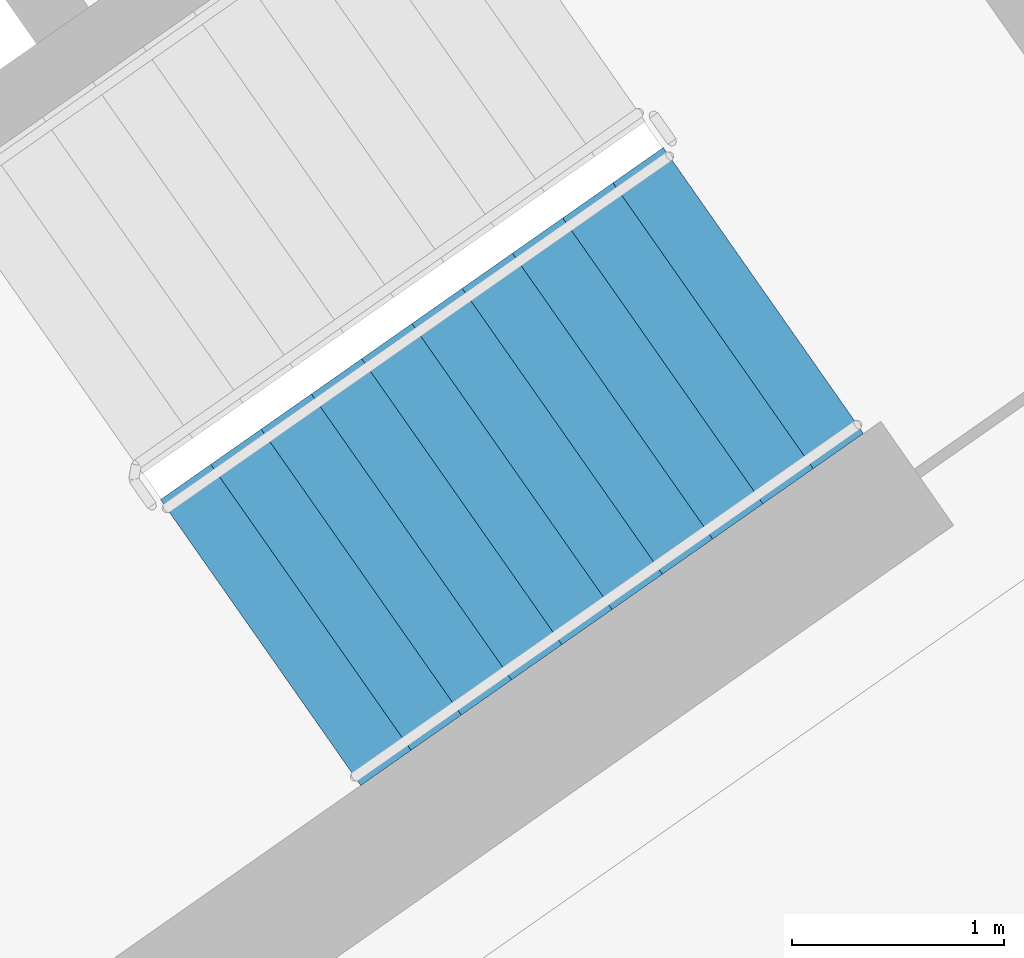
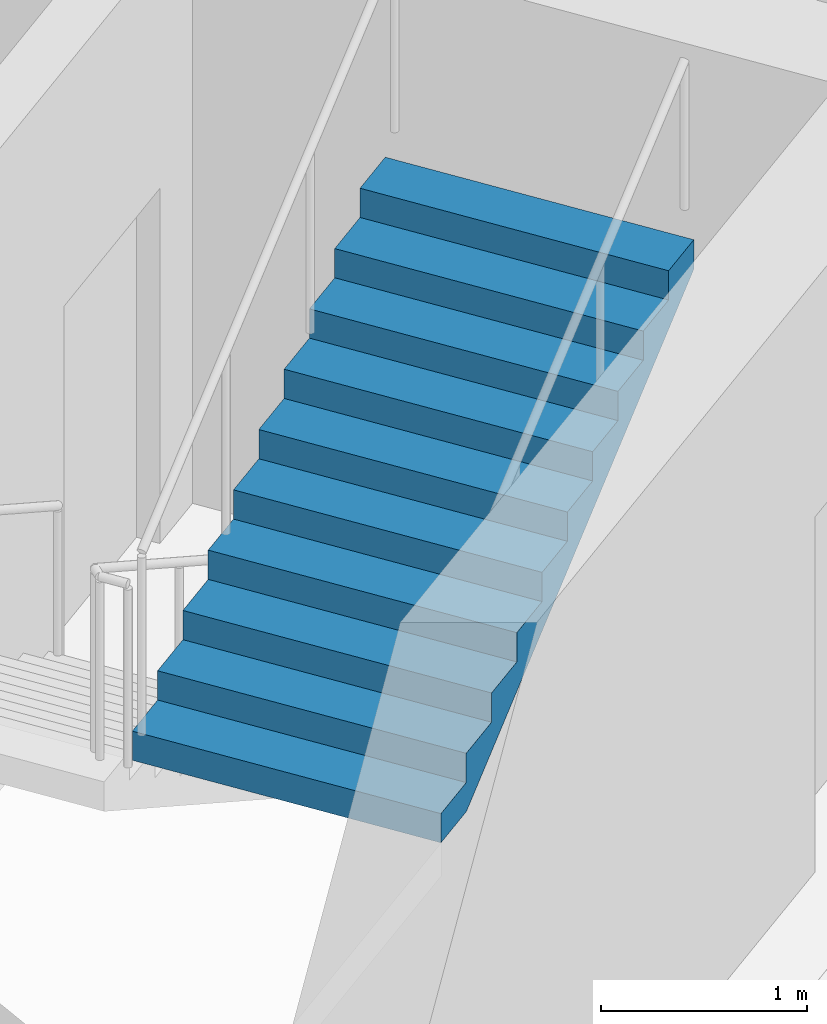
# One storey, part 14 of 28: 1 stair flight, 1 element without a shape of its own.
"""IFC4 building model written with IfcOpenShell, lengths in metres."""

import ifcopenshell
import ifcopenshell.guid

model = None  # the IFC model being written
_history = None  # IfcOwnerHistory: only IFC2X3 demands one
_inside = {}  # id of a spatial element -> (the spatial element, [elements in it])
_under = {}  # id of a project, library or spatial element -> (it, [spatial elements below it])
_declared = {}  # id of a project -> (the project, [libraries it declares])
_typed = {}  # id of a type object -> (the type object, [elements of that type])
_made_of = {}  # id of a material, layer set ... -> (it, [elements and type objects made of it])


def new_model(schema):
    """Start an empty IFC model of exactly this schema.

    Asked for "IFC4X3", IfcOpenShell would pick the latest addendum, in which some entities
    have other attributes; the version numbers below select the first issue.
    IFC2X3 requires an IfcOwnerHistory on every rooted entity: one is made here for all.
    """
    global model, _history
    if schema == "IFC4X3":
        model = ifcopenshell.file(schema_version=(4, 3, 0, 0))
    else:
        model = ifcopenshell.file(schema=schema)
    _inside.clear()
    _under.clear()
    _declared.clear()
    _typed.clear()
    _made_of.clear()
    _history = None
    if model.schema == "IFC2X3":
        org = make("IfcOrganization", Name="unknown")
        user = make(
            "IfcPersonAndOrganization",
            ThePerson=make("IfcPerson", FamilyName="unknown"),
            TheOrganization=org,
        )
        app = make(
            "IfcApplication",
            ApplicationDeveloper=org,
            Version="unknown",
            ApplicationFullName="unknown",
            ApplicationIdentifier="unknown",
        )
        _history = make(
            "IfcOwnerHistory",
            OwningUser=user,
            OwningApplication=app,
            ChangeAction="ADDED",
            CreationDate=0,
        )
    return model


def make(cls, **values):
    """One entity of the class cls with the attributes given. An attribute that is None is left unset."""
    return model.create_entity(
        cls, **{name: value for name, value in values.items() if value is not None}
    )


def rooted(cls, **values):
    """An entity with a GlobalId (a new one), such as an element, a storey or a relation."""
    return make(cls, GlobalId=ifcopenshell.guid.new(), OwnerHistory=_history, **values)


def si_unit(unit_type, name, prefix=None):
    """IfcSIUnit, for example si_unit("LENGTHUNIT", "METRE", prefix="MILLI")."""
    return make("IfcSIUnit", UnitType=unit_type, Prefix=prefix, Name=name)


def assignment(units):
    """IfcUnitAssignment: the units of a project."""
    return None if units is None else make("IfcUnitAssignment", Units=units)


def point(xyz):
    """IfcCartesianPoint."""
    return None if xyz is None else make("IfcCartesianPoint", Coordinates=xyz)


def direction(xyz):
    """IfcDirection."""
    return None if xyz is None else make("IfcDirection", DirectionRatios=xyz)


def frame(location, z_axis=None, x_axis=None):
    """IfcAxis2Placement3D, a coordinate frame: its origin and axes. An axis left out is left unset."""
    return make(
        "IfcAxis2Placement3D",
        Location=point(location),
        Axis=direction(z_axis),
        RefDirection=direction(x_axis),
    )


def origin():
    """The frame at (0, 0, 0) with its axes left unset."""
    return frame((0.0, 0.0, 0.0))


def place(relative_to, where):
    """IfcLocalPlacement: puts the frame where relative to a parent placement (None: the world)."""
    return make(
        "IfcLocalPlacement", PlacementRelTo=relative_to, RelativePlacement=where
    )


def context(
    kind, dimensions, precision=None, world=None, true_north=None, identifier=None
):
    """IfcGeometricRepresentationContext, for example the 3D "Model" context."""
    return make(
        "IfcGeometricRepresentationContext",
        ContextIdentifier=identifier,
        ContextType=kind,
        CoordinateSpaceDimension=dimensions,
        Precision=precision,
        WorldCoordinateSystem=world,
        TrueNorth=true_north,
    )


def subcontext(parent, identifier, kind, view, scale=None):
    """IfcGeometricRepresentationSubContext, for example "Body" below "Model"."""
    return make(
        "IfcGeometricRepresentationSubContext",
        ContextIdentifier=identifier,
        ContextType=kind,
        ParentContext=parent,
        TargetScale=scale,
        TargetView=view,
    )


def project(units=None, contexts=None):
    """IfcProject with its units and contexts."""
    return rooted(
        "IfcProject",
        Name="project",
        RepresentationContexts=contexts,
        UnitsInContext=assignment(units),
    )


def spatial(cls, under=None, at=None, **own):
    """A site, building, storey or space (cls), placed at a placement, below another one or the project."""
    s = rooted(cls, ObjectPlacement=at, **own)
    if under is not None:
        _under.setdefault(under.id(), (under, []))[1].append(s)
    return s


def faces_of(points, faces, orient=None, outer=None):
    """IfcFace entities. A face is a list of loops; a loop is a list of indices into points, from 0.

    orient and outer hold one flag for each loop. By default every Orientation is true, the
    first loop of a face is its IfcFaceOuterBound and the others are IfcFaceBound.
    """
    made = []
    for i, loops in enumerate(faces):
        bounds = []
        for j, loop in enumerate(loops):
            is_outer = j == 0 if outer is None else outer[i][j]
            bounds.append(
                make(
                    "IfcFaceOuterBound" if is_outer else "IfcFaceBound",
                    Bound=make("IfcPolyLoop", Polygon=[points[k] for k in loop]),
                    Orientation=True if orient is None else orient[i][j],
                )
            )
        made.append(make("IfcFace", Bounds=bounds))
    return made


def faceted_brep(points, faces, orient=None, outer=None, voids=None):
    """IfcFacetedBrep: a solid bounded by flat faces; with voids (closed shells), ...WithVoids."""
    shared = [point(p) for p in points]
    hull = make("IfcClosedShell", CfsFaces=faces_of(shared, faces, orient, outer))
    if voids is None:
        return make("IfcFacetedBrep", Outer=hull)
    return make(
        "IfcFacetedBrepWithVoids",
        Outer=hull,
        Voids=[
            make(cls, CfsFaces=faces_of(shared, fs, o, b)) for cls, fs, o, b in voids
        ],
    )


def shape(context_of_items, identifier, shape_type, items):
    """IfcShapeRepresentation: the items that make up one representation, for example the "Body"."""
    return make(
        "IfcShapeRepresentation",
        ContextOfItems=context_of_items,
        RepresentationIdentifier=identifier,
        RepresentationType=shape_type,
        Items=items,
    )


def material(Name=None, Category=None):
    """IfcMaterial."""
    return make("IfcMaterial", Name=Name, Category=Category)


def made_of(thing, what):
    """Note that an element or type object is made of a material, layer set ...; save() writes the relation."""
    if what is not None:
        _made_of.setdefault(what.id(), (what, []))[1].append(thing)
    return thing


def type_object(cls, material=None, **own):
    """A type object (cls), such as IfcWallType, which elements share."""
    return made_of(rooted(cls, **own), material)


def element(
    cls,
    number,
    at=None,
    inside=None,
    cuts=None,
    type_object=None,
    material=None,
    context=None,
    identifier="Body",
    shape_type=None,
    held_by="IfcProductDefinitionShape",
    body=None,
    shapes=None,
    **own,
):
    """One element of the class cls, such as IfcWall. Its Tag is "e" and its number.

    at: its placement. inside: the storey or other place that contains it. cuts: it is an
    opening in that element (IfcRelVoidsElement). A single representation is given by context,
    identifier, shape_type and body (its items); several are given by shapes. held_by: the class
    of the entity that holds the representations. save() writes the other relations.
    """
    e = rooted(cls, Tag="e%d" % number, ObjectPlacement=at, **own)
    if body is not None:
        shapes = [shape(context, identifier, shape_type, body)]
    if shapes is not None:
        e.Representation = make(held_by, Representations=shapes)
    if inside is not None:
        _inside.setdefault(inside.id(), (inside, []))[1].append(e)
    if cuts is not None:
        rooted(
            "IfcRelVoidsElement", RelatingBuildingElement=cuts, RelatedOpeningElement=e
        )
    if type_object is not None:
        _typed.setdefault(type_object.id(), (type_object, []))[1].append(e)
    return made_of(e, material)


def aggregate(whole, parts):
    """IfcRelAggregates: a whole, such as a stair, and the parts it consists of."""
    return rooted("IfcRelAggregates", RelatingObject=whole, RelatedObjects=parts)


def save(model, path):
    """Write the relations noted so far, then the file.

    IfcRelAggregates (storeys below a building ...), IfcRelContainedInSpatialStructure (elements
    in a storey), IfcRelDefinesByType, IfcRelAssociatesMaterial and IfcRelDeclares: one each for
    every whole, place, type object, material and project.
    """
    for whole, parts in _under.values():
        aggregate(whole, parts)
    for where, things in _inside.values():
        rooted(
            "IfcRelContainedInSpatialStructure",
            RelatedElements=things,
            RelatingStructure=where,
        )
    for kind, things in _typed.values():
        rooted("IfcRelDefinesByType", RelatedObjects=things, RelatingType=kind)
    for what, things in _made_of.values():
        rooted("IfcRelAssociatesMaterial", RelatedObjects=things, RelatingMaterial=what)
    for by, libraries in _declared.values():
        rooted("IfcRelDeclares", RelatingContext=by, RelatedDefinitions=libraries)
    model.write(path)


model = new_model("IFC4")

# Units and contexts
model_context = context("Model", 3, precision=1e-05, world=origin(), true_north=direction((0.0, 1.0)))
body_context = subcontext(model_context, "Body", "Model", "MODEL_VIEW")
ifc_project = project(units=[si_unit("LENGTHUNIT", "METRE"), si_unit("AREAUNIT", "SQUARE_METRE"), si_unit("VOLUMEUNIT", "CUBIC_METRE"), si_unit("PLANEANGLEUNIT", "RADIAN"), si_unit("MASSUNIT", "GRAM", prefix="KILO")], contexts=[model_context])

# Site, building, storey
site_placement = place(None, origin())
site = spatial("IfcSite", under=ifc_project, at=site_placement, CompositionType="ELEMENT")
building_placement = place(site_placement, origin())
building = spatial("IfcBuilding", under=site, at=building_placement, Name="Qamariyya Broadcast Tower", CompositionType="ELEMENT")
storey_placement = place(building_placement, frame((0.0, 0.0, 215.10009765625)))
storey = spatial("IfcBuildingStorey", under=building, at=storey_placement, Name="L51", CompositionType="ELEMENT", Elevation=215.10009765625)

# Stair, stair flight
ifc_material = material(Name="Concrete C50/60", Category="concrete")
stair_type = type_object("IfcStairType", Name="Exit stair 22 risers of 173 mm", PredefinedType="HALF_TURN_STAIR", material=ifc_material)
stair_placement = place(storey_placement, origin())
stair = element("IfcStair", 1, at=stair_placement, inside=storey, type_object=stair_type, Name="L51 Stair E1", PredefinedType="HALF_TURN_STAIR")
stair_flight_type = type_object("IfcStairFlightType", Name="Exit stair flight 11 risers of 173 mm", PredefinedType="STRAIGHT", material=ifc_material)
stair_flight_placement = place(storey_placement, frame((44.693359375, -58.64599609375, 1.89990234375), z_axis=(0.0, 0.0, 1.0), x_axis=(0.819152044289, 0.573576436351, 0.0)))
stair_flight = element("IfcStairFlight", 2, at=stair_flight_placement, type_object=stair_flight_type, Name="ST-E1 flight 2", NumberOfRisers=11, NumberOfTreads=10, PredefinedType="STRAIGHT", RiserHeight=0.172727273, TreadLength=0.29, context=body_context, shape_type="Brep", body=[
    faceted_brep([(0.0, 0.824951171875, 0.0), (0.0, 0.824951171875, 0.172607421875), (0.2900390625, 0.824951171875, 0.172607421875), (0.2900390625, 0.824951171875, 0.345458984375), (0.580078125, 0.824951171875, 0.345458984375), (0.580078125, 0.824951171875, 0.51806640625), (0.8701171875, 0.824951171875, 0.51806640625), (0.8701171875, 0.824951171875, 0.69091796875), (1.159912109375, 0.824951171875, 0.69091796875), (1.159912109375, 0.824951171875, 0.863525390625), (1.449951171875, 0.824951171875, 0.863525390625), (1.449951171875, 0.824951171875, 1.036376953125), (1.739990234375, 0.824951171875, 1.036376953125), (1.739990234375, 0.824951171875, 1.208984375), (2.030029296875, 0.824951171875, 1.208984375), (2.030029296875, 0.824951171875, 1.3818359375), (2.320068359375, 0.824951171875, 1.3818359375), (2.320068359375, 0.824951171875, 1.554443359375), (2.610107421875, 0.824951171875, 1.554443359375), (2.610107421875, 0.824951171875, 1.727294921875), (2.89990234375, 0.824951171875, 1.727294921875), (2.89990234375, 0.824951171875, 1.552734375), (0.29296875, 0.824951171875, 0.0), (0.29296875, -0.824951171875, 0.0), (2.89990234375, -0.824951171875, 1.552734375), (2.89990234375, -0.824951171875, 1.727294921875), (2.610107421875, -0.824951171875, 1.727294921875), (2.610107421875, -0.824951171875, 1.554443359375), (2.320068359375, -0.824951171875, 1.554443359375), (2.320068359375, -0.824951171875, 1.3818359375), (2.030029296875, -0.824951171875, 1.3818359375), (2.030029296875, -0.824951171875, 1.208984375), (1.739990234375, -0.824951171875, 1.208984375), (1.739990234375, -0.824951171875, 1.036376953125), (1.449951171875, -0.824951171875, 1.036376953125), (1.449951171875, -0.824951171875, 0.863525390625), (1.159912109375, -0.824951171875, 0.863525390625), (1.159912109375, -0.824951171875, 0.69091796875), (0.8701171875, -0.824951171875, 0.69091796875), (0.8701171875, -0.824951171875, 0.51806640625), (0.580078125, -0.824951171875, 0.51806640625), (0.580078125, -0.824951171875, 0.345458984375), (0.2900390625, -0.824951171875, 0.345458984375), (0.2900390625, -0.824951171875, 0.172607421875), (0.0, -0.824951171875, 0.172607421875), (0.0, -0.824951171875, 0.0), (0.0, 0.10009765625, 0.0), (0.0, 0.086669921875, 0.0), (0.0, 0.0732421875, 0.0), (0.0, 0.06005859375, 0.0), (0.0, 0.046630859375, 0.0), (0.0, 0.033447265625, 0.0), (0.0, 0.02001953125, 0.0), (0.0, 0.006591796875, 0.0), (0.0, -0.006591796875, 0.0), (0.0, -0.02001953125, 0.0), (0.0, -0.033447265625, 0.0), (0.0, -0.046630859375, 0.0), (0.0, -0.06005859375, 0.0), (0.0, -0.0732421875, 0.0), (0.0, -0.086669921875, 0.0), (0.0, -0.10009765625, 0.0), (0.0, -0.10009765625, 0.172607421875), (0.0, -0.086669921875, 0.172607421875), (0.0, -0.0732421875, 0.172607421875), (0.0, -0.06005859375, 0.172607421875), (0.0, -0.046630859375, 0.172607421875), (0.0, -0.033447265625, 0.172607421875), (0.0, -0.02001953125, 0.172607421875), (0.0, -0.006591796875, 0.172607421875), (0.0, 0.006591796875, 0.172607421875), (0.0, 0.02001953125, 0.172607421875), (0.0, 0.033447265625, 0.172607421875), (0.0, 0.046630859375, 0.172607421875), (0.0, 0.06005859375, 0.172607421875), (0.0, 0.0732421875, 0.172607421875), (0.0, 0.086669921875, 0.172607421875), (0.0, 0.10009765625, 0.172607421875), (0.2900390625, -0.10009765625, 0.172607421875), (0.2900390625, -0.086669921875, 0.172607421875), (0.2900390625, -0.0732421875, 0.172607421875), (0.2900390625, -0.06005859375, 0.172607421875), (0.2900390625, -0.046630859375, 0.172607421875), (0.2900390625, -0.033447265625, 0.172607421875), (0.2900390625, -0.02001953125, 0.172607421875), (0.2900390625, -0.006591796875, 0.172607421875), (0.2900390625, 0.006591796875, 0.172607421875), (0.2900390625, 0.02001953125, 0.172607421875), (0.2900390625, 0.033447265625, 0.172607421875), (0.2900390625, 0.046630859375, 0.172607421875), (0.2900390625, 0.06005859375, 0.172607421875), (0.2900390625, 0.0732421875, 0.172607421875), (0.2900390625, 0.086669921875, 0.172607421875), (0.2900390625, 0.10009765625, 0.172607421875), (0.2900390625, -0.10009765625, 0.345458984375), (0.2900390625, -0.086669921875, 0.345458984375), (0.2900390625, -0.0732421875, 0.345458984375), (0.2900390625, -0.06005859375, 0.345458984375), (0.2900390625, -0.046630859375, 0.345458984375), (0.2900390625, -0.033447265625, 0.345458984375), (0.2900390625, -0.02001953125, 0.345458984375), (0.2900390625, -0.006591796875, 0.345458984375), (0.2900390625, 0.006591796875, 0.345458984375), (0.2900390625, 0.02001953125, 0.345458984375), (0.2900390625, 0.033447265625, 0.345458984375), (0.2900390625, 0.046630859375, 0.345458984375), (0.2900390625, 0.06005859375, 0.345458984375), (0.2900390625, 0.0732421875, 0.345458984375), (0.2900390625, 0.086669921875, 0.345458984375), (0.2900390625, 0.10009765625, 0.345458984375), (0.580078125, -0.10009765625, 0.345458984375), (0.580078125, -0.086669921875, 0.345458984375), (0.580078125, -0.0732421875, 0.345458984375), (0.580078125, -0.06005859375, 0.345458984375), (0.580078125, -0.046630859375, 0.345458984375), (0.580078125, -0.033447265625, 0.345458984375), (0.580078125, -0.02001953125, 0.345458984375), (0.580078125, -0.006591796875, 0.345458984375), (0.580078125, 0.006591796875, 0.345458984375), (0.580078125, 0.02001953125, 0.345458984375), (0.580078125, 0.033447265625, 0.345458984375), (0.580078125, 0.046630859375, 0.345458984375), (0.580078125, 0.06005859375, 0.345458984375), (0.580078125, 0.0732421875, 0.345458984375), (0.580078125, 0.086669921875, 0.345458984375), (0.580078125, 0.10009765625, 0.345458984375), (0.580078125, -0.10009765625, 0.51806640625), (0.580078125, -0.086669921875, 0.51806640625), (0.580078125, -0.0732421875, 0.51806640625), (0.580078125, -0.06005859375, 0.51806640625), (0.580078125, -0.046630859375, 0.51806640625), (0.580078125, -0.033447265625, 0.51806640625), (0.580078125, -0.02001953125, 0.51806640625), (0.580078125, -0.006591796875, 0.51806640625), (0.580078125, 0.006591796875, 0.51806640625), (0.580078125, 0.02001953125, 0.51806640625), (0.580078125, 0.033447265625, 0.51806640625), (0.580078125, 0.046630859375, 0.51806640625), (0.580078125, 0.06005859375, 0.51806640625), (0.580078125, 0.0732421875, 0.51806640625), (0.580078125, 0.086669921875, 0.51806640625), (0.580078125, 0.10009765625, 0.51806640625), (0.8701171875, -0.10009765625, 0.51806640625), (0.8701171875, -0.086669921875, 0.51806640625), (0.8701171875, -0.0732421875, 0.51806640625), (0.8701171875, -0.06005859375, 0.51806640625), (0.8701171875, -0.046630859375, 0.51806640625), (0.8701171875, -0.033447265625, 0.51806640625), (0.8701171875, -0.02001953125, 0.51806640625), (0.8701171875, -0.006591796875, 0.51806640625), (0.8701171875, 0.006591796875, 0.51806640625), (0.8701171875, 0.02001953125, 0.51806640625), (0.8701171875, 0.033447265625, 0.51806640625), (0.8701171875, 0.046630859375, 0.51806640625), (0.8701171875, 0.06005859375, 0.51806640625), (0.8701171875, 0.0732421875, 0.51806640625), (0.8701171875, 0.086669921875, 0.51806640625), (0.8701171875, 0.10009765625, 0.51806640625), (0.8701171875, -0.10009765625, 0.69091796875), (0.8701171875, -0.086669921875, 0.69091796875), (0.8701171875, -0.0732421875, 0.69091796875), (0.8701171875, -0.06005859375, 0.69091796875), (0.8701171875, -0.046630859375, 0.69091796875), (0.8701171875, -0.033447265625, 0.69091796875), (0.8701171875, -0.02001953125, 0.69091796875), (0.8701171875, -0.006591796875, 0.69091796875), (0.8701171875, 0.006591796875, 0.69091796875), (0.8701171875, 0.02001953125, 0.69091796875), (0.8701171875, 0.033447265625, 0.69091796875), (0.8701171875, 0.046630859375, 0.69091796875), (0.8701171875, 0.06005859375, 0.69091796875), (0.8701171875, 0.0732421875, 0.69091796875), (0.8701171875, 0.086669921875, 0.69091796875), (0.8701171875, 0.10009765625, 0.69091796875), (1.159912109375, -0.10009765625, 0.69091796875), (1.159912109375, -0.086669921875, 0.69091796875), (1.159912109375, -0.0732421875, 0.69091796875), (1.159912109375, -0.06005859375, 0.69091796875), (1.159912109375, -0.046630859375, 0.69091796875), (1.159912109375, -0.033447265625, 0.69091796875), (1.159912109375, -0.02001953125, 0.69091796875), (1.159912109375, -0.006591796875, 0.69091796875), (1.159912109375, 0.006591796875, 0.69091796875), (1.159912109375, 0.02001953125, 0.69091796875), (1.159912109375, 0.033447265625, 0.69091796875), (1.159912109375, 0.046630859375, 0.69091796875), (1.159912109375, 0.06005859375, 0.69091796875), (1.159912109375, 0.0732421875, 0.69091796875), (1.159912109375, 0.086669921875, 0.69091796875), (1.159912109375, 0.10009765625, 0.69091796875), (1.159912109375, -0.10009765625, 0.863525390625), (1.159912109375, -0.086669921875, 0.863525390625), (1.159912109375, -0.0732421875, 0.863525390625), (1.159912109375, -0.06005859375, 0.863525390625), (1.159912109375, -0.046630859375, 0.863525390625), (1.159912109375, -0.033447265625, 0.863525390625), (1.159912109375, -0.02001953125, 0.863525390625), (1.159912109375, -0.006591796875, 0.863525390625), (1.159912109375, 0.006591796875, 0.863525390625), (1.159912109375, 0.02001953125, 0.863525390625), (1.159912109375, 0.033447265625, 0.863525390625), (1.159912109375, 0.046630859375, 0.863525390625), (1.159912109375, 0.06005859375, 0.863525390625), (1.159912109375, 0.0732421875, 0.863525390625), (1.159912109375, 0.086669921875, 0.863525390625), (1.159912109375, 0.10009765625, 0.863525390625), (1.449951171875, -0.10009765625, 0.863525390625), (1.449951171875, -0.086669921875, 0.863525390625), (1.449951171875, -0.0732421875, 0.863525390625), (1.449951171875, -0.06005859375, 0.863525390625), (1.449951171875, -0.046630859375, 0.863525390625), (1.449951171875, -0.033447265625, 0.863525390625), (1.449951171875, -0.02001953125, 0.863525390625), (1.449951171875, -0.006591796875, 0.863525390625), (1.449951171875, 0.006591796875, 0.863525390625), (1.449951171875, 0.02001953125, 0.863525390625), (1.449951171875, 0.033447265625, 0.863525390625), (1.449951171875, 0.046630859375, 0.863525390625), (1.449951171875, 0.06005859375, 0.863525390625), (1.449951171875, 0.0732421875, 0.863525390625), (1.449951171875, 0.086669921875, 0.863525390625), (1.449951171875, 0.10009765625, 0.863525390625), (1.449951171875, -0.10009765625, 1.036376953125), (1.449951171875, -0.086669921875, 1.036376953125), (1.449951171875, -0.0732421875, 1.036376953125), (1.449951171875, -0.06005859375, 1.036376953125), (1.449951171875, -0.046630859375, 1.036376953125), (1.449951171875, -0.033447265625, 1.036376953125), (1.449951171875, -0.02001953125, 1.036376953125), (1.449951171875, -0.006591796875, 1.036376953125), (1.449951171875, 0.006591796875, 1.036376953125), (1.449951171875, 0.02001953125, 1.036376953125), (1.449951171875, 0.033447265625, 1.036376953125), (1.449951171875, 0.046630859375, 1.036376953125), (1.449951171875, 0.06005859375, 1.036376953125), (1.449951171875, 0.0732421875, 1.036376953125), (1.449951171875, 0.086669921875, 1.036376953125), (1.449951171875, 0.10009765625, 1.036376953125), (1.739990234375, -0.10009765625, 1.036376953125), (1.739990234375, -0.086669921875, 1.036376953125), (1.739990234375, -0.0732421875, 1.036376953125), (1.739990234375, -0.06005859375, 1.036376953125), (1.739990234375, -0.046630859375, 1.036376953125), (1.739990234375, -0.033447265625, 1.036376953125), (1.739990234375, -0.02001953125, 1.036376953125), (1.739990234375, -0.006591796875, 1.036376953125), (1.739990234375, 0.006591796875, 1.036376953125), (1.739990234375, 0.02001953125, 1.036376953125), (1.739990234375, 0.033447265625, 1.036376953125), (1.739990234375, 0.046630859375, 1.036376953125), (1.739990234375, 0.06005859375, 1.036376953125), (1.739990234375, 0.0732421875, 1.036376953125), (1.739990234375, 0.086669921875, 1.036376953125), (1.739990234375, 0.10009765625, 1.036376953125), (1.739990234375, -0.10009765625, 1.208984375), (1.739990234375, -0.086669921875, 1.208984375), (1.739990234375, -0.0732421875, 1.208984375), (1.739990234375, -0.06005859375, 1.208984375), (1.739990234375, -0.046630859375, 1.208984375), (1.739990234375, -0.033447265625, 1.208984375), (1.739990234375, -0.02001953125, 1.208984375), (1.739990234375, -0.006591796875, 1.208984375), (1.739990234375, 0.006591796875, 1.208984375), (1.739990234375, 0.02001953125, 1.208984375), (1.739990234375, 0.033447265625, 1.208984375), (1.739990234375, 0.046630859375, 1.208984375), (1.739990234375, 0.06005859375, 1.208984375), (1.739990234375, 0.0732421875, 1.208984375), (1.739990234375, 0.086669921875, 1.208984375), (1.739990234375, 0.10009765625, 1.208984375), (2.030029296875, -0.10009765625, 1.208984375), (2.030029296875, -0.086669921875, 1.208984375), (2.030029296875, -0.0732421875, 1.208984375), (2.030029296875, -0.06005859375, 1.208984375), (2.030029296875, -0.046630859375, 1.208984375), (2.030029296875, -0.033447265625, 1.208984375), (2.030029296875, -0.02001953125, 1.208984375), (2.030029296875, -0.006591796875, 1.208984375), (2.030029296875, 0.006591796875, 1.208984375), (2.030029296875, 0.02001953125, 1.208984375), (2.030029296875, 0.033447265625, 1.208984375), (2.030029296875, 0.046630859375, 1.208984375), (2.030029296875, 0.06005859375, 1.208984375), (2.030029296875, 0.0732421875, 1.208984375), (2.030029296875, 0.086669921875, 1.208984375), (2.030029296875, 0.10009765625, 1.208984375), (2.030029296875, -0.10009765625, 1.3818359375), (2.030029296875, -0.086669921875, 1.3818359375), (2.030029296875, -0.0732421875, 1.3818359375), (2.030029296875, -0.06005859375, 1.3818359375), (2.030029296875, -0.046630859375, 1.3818359375), (2.030029296875, -0.033447265625, 1.3818359375), (2.030029296875, -0.02001953125, 1.3818359375), (2.030029296875, -0.006591796875, 1.3818359375), (2.030029296875, 0.006591796875, 1.3818359375), (2.030029296875, 0.02001953125, 1.3818359375), (2.030029296875, 0.033447265625, 1.3818359375), (2.030029296875, 0.046630859375, 1.3818359375), (2.030029296875, 0.06005859375, 1.3818359375), (2.030029296875, 0.0732421875, 1.3818359375), (2.030029296875, 0.086669921875, 1.3818359375), (2.030029296875, 0.10009765625, 1.3818359375), (2.320068359375, -0.10009765625, 1.3818359375), (2.320068359375, -0.086669921875, 1.3818359375), (2.320068359375, -0.0732421875, 1.3818359375), (2.320068359375, -0.06005859375, 1.3818359375), (2.320068359375, -0.046630859375, 1.3818359375), (2.320068359375, -0.033447265625, 1.3818359375), (2.320068359375, -0.02001953125, 1.3818359375), (2.320068359375, -0.006591796875, 1.3818359375), (2.320068359375, 0.006591796875, 1.3818359375), (2.320068359375, 0.02001953125, 1.3818359375), (2.320068359375, 0.033447265625, 1.3818359375), (2.320068359375, 0.046630859375, 1.3818359375), (2.320068359375, 0.06005859375, 1.3818359375), (2.320068359375, 0.0732421875, 1.3818359375), (2.320068359375, 0.086669921875, 1.3818359375), (2.320068359375, 0.10009765625, 1.3818359375), (2.320068359375, -0.10009765625, 1.554443359375), (2.320068359375, -0.086669921875, 1.554443359375), (2.320068359375, -0.0732421875, 1.554443359375), (2.320068359375, -0.06005859375, 1.554443359375), (2.320068359375, -0.046630859375, 1.554443359375), (2.320068359375, -0.033447265625, 1.554443359375), (2.320068359375, -0.02001953125, 1.554443359375), (2.320068359375, -0.006591796875, 1.554443359375), (2.320068359375, 0.006591796875, 1.554443359375), (2.320068359375, 0.02001953125, 1.554443359375), (2.320068359375, 0.033447265625, 1.554443359375), (2.320068359375, 0.046630859375, 1.554443359375), (2.320068359375, 0.06005859375, 1.554443359375), (2.320068359375, 0.0732421875, 1.554443359375), (2.320068359375, 0.086669921875, 1.554443359375), (2.320068359375, 0.10009765625, 1.554443359375), (2.610107421875, -0.10009765625, 1.554443359375), (2.610107421875, -0.086669921875, 1.554443359375), (2.610107421875, -0.0732421875, 1.554443359375), (2.610107421875, -0.06005859375, 1.554443359375), (2.610107421875, -0.046630859375, 1.554443359375), (2.610107421875, -0.033447265625, 1.554443359375), (2.610107421875, -0.02001953125, 1.554443359375), (2.610107421875, -0.006591796875, 1.554443359375), (2.610107421875, 0.006591796875, 1.554443359375), (2.610107421875, 0.02001953125, 1.554443359375), (2.610107421875, 0.033447265625, 1.554443359375), (2.610107421875, 0.046630859375, 1.554443359375), (2.610107421875, 0.06005859375, 1.554443359375), (2.610107421875, 0.0732421875, 1.554443359375), (2.610107421875, 0.086669921875, 1.554443359375), (2.610107421875, 0.10009765625, 1.554443359375), (2.610107421875, -0.10009765625, 1.727294921875), (2.610107421875, -0.086669921875, 1.727294921875), (2.610107421875, -0.0732421875, 1.727294921875), (2.610107421875, -0.06005859375, 1.727294921875), (2.610107421875, -0.046630859375, 1.727294921875), (2.610107421875, -0.033447265625, 1.727294921875), (2.610107421875, -0.02001953125, 1.727294921875), (2.610107421875, -0.006591796875, 1.727294921875), (2.610107421875, 0.006591796875, 1.727294921875), (2.610107421875, 0.02001953125, 1.727294921875), (2.610107421875, 0.033447265625, 1.727294921875), (2.610107421875, 0.046630859375, 1.727294921875), (2.610107421875, 0.06005859375, 1.727294921875), (2.610107421875, 0.0732421875, 1.727294921875), (2.610107421875, 0.086669921875, 1.727294921875), (2.610107421875, 0.10009765625, 1.727294921875), (2.89990234375, -0.10009765625, 1.727294921875), (2.89990234375, -0.086669921875, 1.727294921875), (2.89990234375, -0.0732421875, 1.727294921875), (2.89990234375, -0.06005859375, 1.727294921875), (2.89990234375, -0.046630859375, 1.727294921875), (2.89990234375, -0.033447265625, 1.727294921875), (2.89990234375, -0.02001953125, 1.727294921875), (2.89990234375, -0.006591796875, 1.727294921875), (2.89990234375, 0.006591796875, 1.727294921875), (2.89990234375, 0.02001953125, 1.727294921875), (2.89990234375, 0.033447265625, 1.727294921875), (2.89990234375, 0.046630859375, 1.727294921875), (2.89990234375, 0.06005859375, 1.727294921875), (2.89990234375, 0.0732421875, 1.727294921875), (2.89990234375, 0.086669921875, 1.727294921875), (2.89990234375, 0.10009765625, 1.727294921875), (2.89990234375, -0.10009765625, 1.552734375), (2.89990234375, -0.086669921875, 1.552734375), (2.89990234375, -0.0732421875, 1.552734375), (2.89990234375, -0.06005859375, 1.552734375), (2.89990234375, -0.046630859375, 1.552734375), (2.89990234375, -0.033447265625, 1.552734375), (2.89990234375, -0.02001953125, 1.552734375), (2.89990234375, -0.006591796875, 1.552734375), (2.89990234375, 0.006591796875, 1.552734375), (2.89990234375, 0.02001953125, 1.552734375), (2.89990234375, 0.033447265625, 1.552734375), (2.89990234375, 0.046630859375, 1.552734375), (2.89990234375, 0.06005859375, 1.552734375), (2.89990234375, 0.0732421875, 1.552734375), (2.89990234375, 0.086669921875, 1.552734375), (2.89990234375, 0.10009765625, 1.552734375), (0.29296875, -0.10009765625, 0.0), (0.29296875, -0.086669921875, 0.0), (0.29296875, -0.0732421875, 0.0), (0.29296875, -0.06005859375, 0.0), (0.29296875, -0.046630859375, 0.0), (0.29296875, -0.033447265625, 0.0), (0.29296875, -0.02001953125, 0.0), (0.29296875, -0.006591796875, 0.0), (0.29296875, 0.006591796875, 0.0), (0.29296875, 0.02001953125, 0.0), (0.29296875, 0.033447265625, 0.0), (0.29296875, 0.046630859375, 0.0), (0.29296875, 0.06005859375, 0.0), (0.29296875, 0.0732421875, 0.0), (0.29296875, 0.086669921875, 0.0), (0.29296875, 0.10009765625, 0.0)], [[[0, 1, 2, 3, 4, 5, 6, 7, 8, 9, 10, 11, 12, 13, 14, 15, 16, 17, 18, 19, 20, 21, 22]], [[23, 24, 25, 26, 27, 28, 29, 30, 31, 32, 33, 34, 35, 36, 37, 38, 39, 40, 41, 42, 43, 44, 45]], [[0, 46, 47, 48, 49, 50, 51, 52, 53, 54, 55, 56, 57, 58, 59, 60, 61, 45, 44, 62, 63, 64, 65, 66, 67, 68, 69, 70, 71, 72, 73, 74, 75, 76, 77, 1]], [[1, 77, 76, 75, 74, 73, 72, 71, 70, 69, 68, 67, 66, 65, 64, 63, 62, 44, 43, 78, 79, 80, 81, 82, 83, 84, 85, 86, 87, 88, 89, 90, 91, 92, 93, 2]], [[2, 93, 92, 91, 90, 89, 88, 87, 86, 85, 84, 83, 82, 81, 80, 79, 78, 43, 42, 94, 95, 96, 97, 98, 99, 100, 101, 102, 103, 104, 105, 106, 107, 108, 109, 3]], [[3, 109, 108, 107, 106, 105, 104, 103, 102, 101, 100, 99, 98, 97, 96, 95, 94, 42, 41, 110, 111, 112, 113, 114, 115, 116, 117, 118, 119, 120, 121, 122, 123, 124, 125, 4]], [[4, 125, 124, 123, 122, 121, 120, 119, 118, 117, 116, 115, 114, 113, 112, 111, 110, 41, 40, 126, 127, 128, 129, 130, 131, 132, 133, 134, 135, 136, 137, 138, 139, 140, 141, 5]], [[5, 141, 140, 139, 138, 137, 136, 135, 134, 133, 132, 131, 130, 129, 128, 127, 126, 40, 39, 142, 143, 144, 145, 146, 147, 148, 149, 150, 151, 152, 153, 154, 155, 156, 157, 6]], [[6, 157, 156, 155, 154, 153, 152, 151, 150, 149, 148, 147, 146, 145, 144, 143, 142, 39, 38, 158, 159, 160, 161, 162, 163, 164, 165, 166, 167, 168, 169, 170, 171, 172, 173, 7]], [[7, 173, 172, 171, 170, 169, 168, 167, 166, 165, 164, 163, 162, 161, 160, 159, 158, 38, 37, 174, 175, 176, 177, 178, 179, 180, 181, 182, 183, 184, 185, 186, 187, 188, 189, 8]], [[8, 189, 188, 187, 186, 185, 184, 183, 182, 181, 180, 179, 178, 177, 176, 175, 174, 37, 36, 190, 191, 192, 193, 194, 195, 196, 197, 198, 199, 200, 201, 202, 203, 204, 205, 9]], [[9, 205, 204, 203, 202, 201, 200, 199, 198, 197, 196, 195, 194, 193, 192, 191, 190, 36, 35, 206, 207, 208, 209, 210, 211, 212, 213, 214, 215, 216, 217, 218, 219, 220, 221, 10]], [[10, 221, 220, 219, 218, 217, 216, 215, 214, 213, 212, 211, 210, 209, 208, 207, 206, 35, 34, 222, 223, 224, 225, 226, 227, 228, 229, 230, 231, 232, 233, 234, 235, 236, 237, 11]], [[11, 237, 236, 235, 234, 233, 232, 231, 230, 229, 228, 227, 226, 225, 224, 223, 222, 34, 33, 238, 239, 240, 241, 242, 243, 244, 245, 246, 247, 248, 249, 250, 251, 252, 253, 12]], [[12, 253, 252, 251, 250, 249, 248, 247, 246, 245, 244, 243, 242, 241, 240, 239, 238, 33, 32, 254, 255, 256, 257, 258, 259, 260, 261, 262, 263, 264, 265, 266, 267, 268, 269, 13]], [[13, 269, 268, 267, 266, 265, 264, 263, 262, 261, 260, 259, 258, 257, 256, 255, 254, 32, 31, 270, 271, 272, 273, 274, 275, 276, 277, 278, 279, 280, 281, 282, 283, 284, 285, 14]], [[14, 285, 284, 283, 282, 281, 280, 279, 278, 277, 276, 275, 274, 273, 272, 271, 270, 31, 30, 286, 287, 288, 289, 290, 291, 292, 293, 294, 295, 296, 297, 298, 299, 300, 301, 15]], [[15, 301, 300, 299, 298, 297, 296, 295, 294, 293, 292, 291, 290, 289, 288, 287, 286, 30, 29, 302, 303, 304, 305, 306, 307, 308, 309, 310, 311, 312, 313, 314, 315, 316, 317, 16]], [[16, 317, 316, 315, 314, 313, 312, 311, 310, 309, 308, 307, 306, 305, 304, 303, 302, 29, 28, 318, 319, 320, 321, 322, 323, 324, 325, 326, 327, 328, 329, 330, 331, 332, 333, 17]], [[17, 333, 332, 331, 330, 329, 328, 327, 326, 325, 324, 323, 322, 321, 320, 319, 318, 28, 27, 334, 335, 336, 337, 338, 339, 340, 341, 342, 343, 344, 345, 346, 347, 348, 349, 18]], [[18, 349, 348, 347, 346, 345, 344, 343, 342, 341, 340, 339, 338, 337, 336, 335, 334, 27, 26, 350, 351, 352, 353, 354, 355, 356, 357, 358, 359, 360, 361, 362, 363, 364, 365, 19]], [[19, 365, 364, 363, 362, 361, 360, 359, 358, 357, 356, 355, 354, 353, 352, 351, 350, 26, 25, 366, 367, 368, 369, 370, 371, 372, 373, 374, 375, 376, 377, 378, 379, 380, 381, 20]], [[20, 381, 380, 379, 378, 377, 376, 375, 374, 373, 372, 371, 370, 369, 368, 367, 366, 25, 24, 382, 383, 384, 385, 386, 387, 388, 389, 390, 391, 392, 393, 394, 395, 396, 397, 21]], [[21, 397, 396, 395, 394, 393, 392, 391, 390, 389, 388, 387, 386, 385, 384, 383, 382, 24, 23, 398, 399, 400, 401, 402, 403, 404, 405, 406, 407, 408, 409, 410, 411, 412, 413, 22]], [[22, 413, 412, 411, 410, 409, 408, 407, 406, 405, 404, 403, 402, 401, 400, 399, 398, 23, 45, 61, 60, 59, 58, 57, 56, 55, 54, 53, 52, 51, 50, 49, 48, 47, 46, 0]]]),
])
aggregate(stair, [stair_flight])

save(model, "model.ifc")
